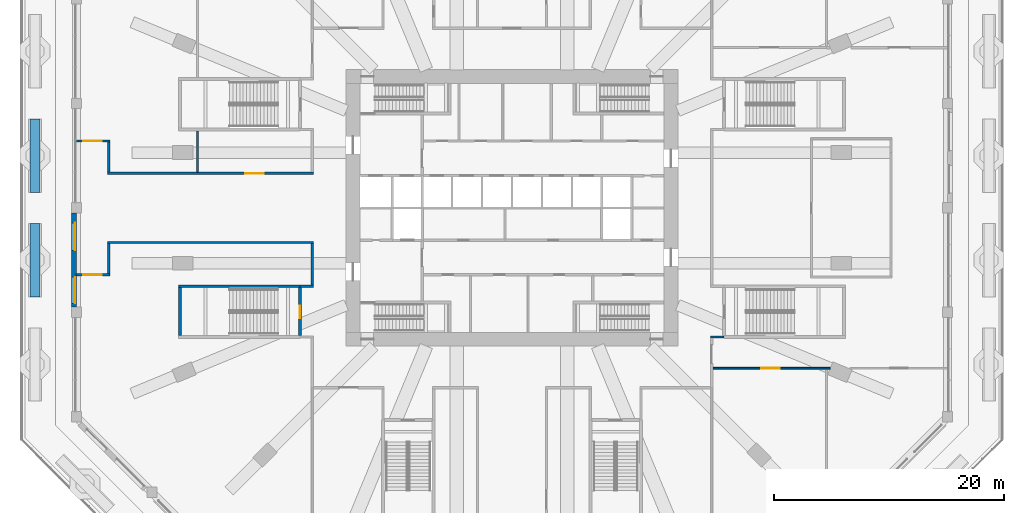
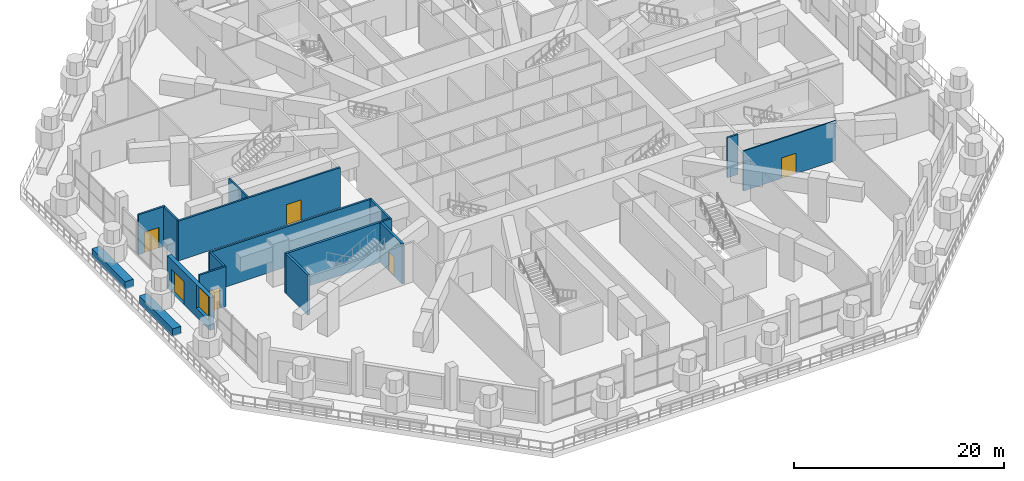
# One storey, part 15 of 25: 17 walls, 6 doors, 1 window, 7 openings.
"""IFC4 building model written with IfcOpenShell, lengths in metres."""

from ifc_helpers import new_model, si_unit, direction, frame, frame_2d, origin, place, context, subcontext, project, spatial, rectangle, extrude, material, layer, layer_set, type_object, element, fill, save


model = new_model("IFC4")

# Units and contexts
model_context = context("Model", 3, precision=1e-05, world=origin(), true_north=direction((0.0, 1.0)))
body_context = subcontext(model_context, "Body", "Model", "MODEL_VIEW")
ifc_project = project(units=[si_unit("LENGTHUNIT", "METRE"), si_unit("AREAUNIT", "SQUARE_METRE"), si_unit("VOLUMEUNIT", "CUBIC_METRE"), si_unit("PLANEANGLEUNIT", "RADIAN"), si_unit("MASSUNIT", "GRAM", prefix="KILO")], contexts=[model_context])

# Site, building, storey
site_placement = place(None, origin())
site = spatial("IfcSite", under=ifc_project, at=site_placement, CompositionType="ELEMENT")
building_placement = place(site_placement, origin())
building = spatial("IfcBuilding", under=site, at=building_placement, Name="Msitu Wima Residences", CompositionType="ELEMENT")
storey_placement = place(building_placement, frame((0.0, 0.0, 11.0)))
storey = spatial("IfcBuildingStorey", under=building, at=storey_placement, Name="L02", CompositionType="ELEMENT", Elevation=11.0)

# Wall, openings, door, window
ifc_material_1 = material(Name="Brick (red buff mix), cavity wall of two leaves", Category="masonry")
ifc_layer_1 = layer(ifc_material_1, 0.449951171875)
ifc_layer_set_1 = layer_set([ifc_layer_1], Name="Brick (red buff mix), cavity wall of two leaves")
wall_type_1 = type_object("IfcWallType", Name="Brick infill wall BW450 podium", PredefinedType="ELEMENTEDWALL", material=ifc_layer_set_1)
wall_1_placement = place(storey_placement, frame((-38.02490234375, -0.449951171875, 0.0), z_axis=(0.0, 0.0, 1.0), x_axis=(0.0, -1.0, 0.0)))
wall_1 = element("IfcWall", 1, at=wall_1_placement, inside=storey, type_object=wall_type_1, Name="Brick infill wall L02 W2", PredefinedType="ELEMENTEDWALL", context=body_context, shape_type="SweptSolid", body=[
    extrude(rectangle(XDim=8.1640625, YDim=0.449951171875, at=frame_2d((4.08203125, 0.0))), origin(), (0.0, 0.0, 1.0), 3.800048828125),
])
opening_1_placement = place(wall_1_placement, frame((0.841064453125, 0.0, 0.0)))
opening_1 = element("IfcOpeningElement", 2, at=opening_1_placement, cuts=wall_1, Name="Opening D02.008", PredefinedType="OPENING", context=body_context, shape_type="SweptSolid", body=[
    extrude(rectangle(XDim=2.39990234375, YDim=2.699951171875, at=frame_2d((1.199951171875, 1.35009765625))), frame((0.0, 0.23486328125, 0.0), z_axis=(0.0, -1.0, 0.0), x_axis=(1.0, 0.0, 0.0)), (0.0, 0.0, 1.0), 0.469970703125),
])
opening_2_placement = place(wall_1_placement, frame((5.550048828125, 0.0, 1.050048828125)))
opening_2 = element("IfcOpeningElement", 3, at=opening_2_placement, cuts=wall_1, Name="Opening W02.026", PredefinedType="OPENING", context=body_context, shape_type="SweptSolid", body=[
    extrude(rectangle(XDim=2.280029296875, YDim=2.699951171875, at=frame_2d((1.14013671875, 1.35009765625))), frame((0.0, 0.23486328125, 0.0), z_axis=(0.0, -1.0, 0.0), x_axis=(1.0, 0.0, 0.0)), (0.0, 0.0, 1.0), 0.469970703125),
])
ifc_material_2 = material(Name="Anodised aluminium, bronze finish, clear low-emissivity double glazing", Category="aluminium")
door_type_1 = type_object("IfcDoorType", Name="Balcony door D2400x2700", OperationType="SLIDING_TO_LEFT", PredefinedType="DOOR", material=ifc_material_2)
door_1_placement = place(opening_1_placement, origin())
door_1 = element("IfcDoor", 4, at=door_1_placement, inside=storey, type_object=door_type_1, Name="Terrace door L02 W2", OperationType="SINGLE_SWING_LEFT", OverallHeight=2.699951171875, OverallWidth=2.39990234375, PredefinedType="DOOR", context=body_context, shape_type="SweptSolid", body=[
    extrude(rectangle(XDim=2.39990234375, YDim=2.699951171875, at=frame_2d((1.199951171875, 1.35009765625))), frame((0.0, 0.1298828125, 0.0), z_axis=(0.0, -1.0, 0.0), x_axis=(1.0, 0.0, 0.0)), (0.0, 0.0, 1.0), 0.050048828125),
])
fill(opening_1, door_1)
window_type = type_object("IfcWindowType", Name="Window W2280x2700", PartitioningType="DOUBLE_PANEL_VERTICAL", PredefinedType="WINDOW", material=ifc_material_2)
window_placement = place(opening_2_placement, origin())
window = element("IfcWindow", 5, at=window_placement, inside=storey, type_object=window_type, Name="Window L02 W2.2b", OverallHeight=2.699951171875, OverallWidth=2.280029296875, PartitioningType="SINGLE_PANEL", PredefinedType="WINDOW", context=body_context, shape_type="SweptSolid", body=[
    extrude(rectangle(XDim=2.280029296875, YDim=2.699951171875, at=frame_2d((1.14013671875, 1.35009765625))), frame((0.0, 0.135009765625, 0.0), z_axis=(0.0, -1.0, 0.0), x_axis=(1.0, 0.0, 0.0)), (0.0, 0.0, 1.0), 0.06005859375),
])
fill(opening_2, window)

# Wall, opening, door
ifc_material_3 = material(Name="Plaster")
ifc_layer_2 = layer(ifc_material_3, 0.011962890625, Name="Plaster")
ifc_material_4 = material(Name="Concrete blockwork", Category="masonry")
ifc_layer_3 = layer(ifc_material_4, 0.176025390625, Name="Concrete blockwork")
ifc_layer_4 = layer(ifc_material_3, 0.011962890625, Name="Plaster")
ifc_layer_set_2 = layer_set([ifc_layer_2, ifc_layer_3, ifc_layer_4], Name="Concrete blockwork")
wall_type_2 = type_object("IfcWallType", Name="Corridor wall FW200", PredefinedType="PARTITIONING", material=ifc_layer_set_2)
wall_2_placement = place(storey_placement, frame((-37.85498046875, -5.800048828125, 0.0), z_axis=(0.0, 0.0, 1.0), x_axis=(1.0, 0.0, 0.0)))
wall_2 = element("IfcWall", 6, at=wall_2_placement, inside=storey, type_object=wall_type_2, Name="Corridor wall", PredefinedType="PARTITIONING", context=body_context, shape_type="SweptSolid", body=[
    extrude(rectangle(XDim=2.955078125, YDim=0.199951171875, at=frame_2d((1.4775390625, 0.0))), origin(), (0.0, 0.0, 1.0), 4.64990234375),
])
opening_3_placement = place(wall_2_placement, frame((0.64990234375, 0.0, 0.0)))
opening_3 = element("IfcOpeningElement", 7, at=opening_3_placement, cuts=wall_2, Name="Opening D02.043", PredefinedType="OPENING", context=body_context, shape_type="SweptSolid", body=[
    extrude(rectangle(XDim=1.60009765625, YDim=2.39990234375, at=frame_2d((0.800048828125, 1.199951171875))), frame((0.0, 0.10986328125, 0.0), z_axis=(0.0, -1.0, 0.0), x_axis=(1.0, 0.0, 0.0)), (0.0, 0.0, 1.0), 0.219970703125),
])
ifc_material_5 = material(Name="Black aluminium glazed door", Category="aluminium")
door_type_2 = type_object("IfcDoorType", Name="Amenity door D10 1600x2400", OperationType="DOUBLE_DOOR_SINGLE_SWING", PredefinedType="DOOR", material=ifc_material_5)
door_2_placement = place(opening_3_placement, origin())
door_2 = element("IfcDoor", 8, at=door_2_placement, inside=storey, type_object=door_type_2, Name="Amenity door", OperationType="DOUBLE_DOOR_SINGLE_SWING", OverallHeight=2.39990234375, OverallWidth=1.60009765625, PredefinedType="DOOR", context=body_context, shape_type="SweptSolid", body=[
    extrude(rectangle(XDim=1.60009765625, YDim=2.39990234375, at=frame_2d((0.800048828125, 1.199951171875))), frame((0.0, 0.02490234375, 0.0), z_axis=(0.0, -1.0, 0.0), x_axis=(1.0, 0.0, 0.0)), (0.0, 0.0, 1.0), 0.050048828125),
])
fill(opening_3, door_2)

wall_3_placement = place(storey_placement, frame((-37.85498046875, 5.800048828125, 0.0), z_axis=(0.0, 0.0, 1.0), x_axis=(1.0, 0.0, 0.0)))
wall_3 = element("IfcWall", 9, at=wall_3_placement, inside=storey, type_object=wall_type_2, Name="Corridor wall", PredefinedType="PARTITIONING", context=body_context, shape_type="SweptSolid", body=[
    extrude(rectangle(XDim=2.955078125, YDim=0.199951171875, at=frame_2d((1.4775390625, 0.0))), origin(), (0.0, 0.0, 1.0), 4.64990234375),
])
opening_4_placement = place(wall_3_placement, frame((0.64990234375, 0.0, 0.0)))
opening_4 = element("IfcOpeningElement", 10, at=opening_4_placement, cuts=wall_3, Name="Opening D02.044", PredefinedType="OPENING", context=body_context, shape_type="SweptSolid", body=[
    extrude(rectangle(XDim=1.60009765625, YDim=2.39990234375, at=frame_2d((0.800048828125, 1.199951171875))), frame((0.0, 0.10986328125, 0.0), z_axis=(0.0, -1.0, 0.0), x_axis=(1.0, 0.0, 0.0)), (0.0, 0.0, 1.0), 0.219970703125),
])
door_3_placement = place(opening_4_placement, origin())
door_3 = element("IfcDoor", 11, at=door_3_placement, inside=storey, type_object=door_type_2, Name="Amenity door", OperationType="DOUBLE_DOOR_SINGLE_SWING", OverallHeight=2.39990234375, OverallWidth=1.60009765625, PredefinedType="DOOR", context=body_context, shape_type="SweptSolid", body=[
    extrude(rectangle(XDim=1.60009765625, YDim=2.39990234375, at=frame_2d((0.800048828125, 1.199951171875))), frame((0.0, 0.02490234375, 0.0), z_axis=(0.0, -1.0, 0.0), x_axis=(1.0, 0.0, 0.0)), (0.0, 0.0, 1.0), 0.050048828125),
])
fill(opening_4, door_3)

# Walls
wall_4_placement = place(storey_placement, frame((-35.0, -5.699951171875, 0.0), z_axis=(0.0, 0.0, 1.0), x_axis=(0.0, 1.0, 0.0)))
element("IfcWall", 12, at=wall_4_placement, inside=storey, type_object=wall_type_2, Name="Corridor wall", PredefinedType="PARTITIONING", context=body_context, shape_type="SweptSolid", body=[
    extrude(rectangle(XDim=2.599853515625, YDim=0.199951171875, at=frame_2d((1.2998046875, 0.0))), origin(), (0.0, 0.0, 1.0), 4.64990234375),
])
wall_5_placement = place(storey_placement, frame((-35.10009765625, -3.0, 0.0), z_axis=(0.0, 0.0, 1.0), x_axis=(1.0, 0.0, 0.0)))
element("IfcWall", 13, at=wall_5_placement, inside=storey, type_object=wall_type_2, Name="Corridor wall", PredefinedType="PARTITIONING", context=body_context, shape_type="SweptSolid", body=[
    extrude(rectangle(XDim=17.8720703125, YDim=0.199951171875, at=frame_2d((8.93603515625, 0.0))), origin(), (0.0, 0.0, 1.0), 4.64990234375),
])
wall_6_placement = place(storey_placement, frame((-35.0, 3.10009765625, 0.0), z_axis=(0.0, 0.0, 1.0), x_axis=(0.0, 1.0, 0.0)))
element("IfcWall", 14, at=wall_6_placement, inside=storey, type_object=wall_type_2, Name="Corridor wall", PredefinedType="PARTITIONING", context=body_context, shape_type="SweptSolid", body=[
    extrude(rectangle(XDim=2.599853515625, YDim=0.199951171875, at=frame_2d((1.2998046875, 0.0))), origin(), (0.0, 0.0, 1.0), 4.64990234375),
])

# Wall, opening, door
wall_7_placement = place(storey_placement, frame((-35.10009765625, 3.0, 0.0), z_axis=(0.0, 0.0, 1.0), x_axis=(1.0, 0.0, 0.0)))
wall_7 = element("IfcWall", 15, at=wall_7_placement, inside=storey, type_object=wall_type_2, Name="Corridor wall", PredefinedType="PARTITIONING", context=body_context, shape_type="SweptSolid", body=[
    extrude(rectangle(XDim=17.8720703125, YDim=0.199951171875, at=frame_2d((8.93603515625, 0.0))), origin(), (0.0, 0.0, 1.0), 4.64990234375),
])
opening_5_placement = place(wall_7_placement, frame((11.949951171875, 0.0, 0.0)))
opening_5 = element("IfcOpeningElement", 16, at=opening_5_placement, cuts=wall_7, Name="Opening D02.045", PredefinedType="OPENING", context=body_context, shape_type="SweptSolid", body=[
    extrude(rectangle(XDim=1.60009765625, YDim=2.39990234375, at=frame_2d((0.800048828125, 1.199951171875))), frame((0.0, 0.10986328125, 0.0), z_axis=(0.0, -1.0, 0.0), x_axis=(1.0, 0.0, 0.0)), (0.0, 0.0, 1.0), 0.219970703125),
])
door_4_placement = place(opening_5_placement, origin())
door_4 = element("IfcDoor", 17, at=door_4_placement, inside=storey, type_object=door_type_2, Name="Amenity door", OperationType="DOUBLE_DOOR_SINGLE_SWING", OverallHeight=2.39990234375, OverallWidth=1.60009765625, PredefinedType="DOOR", context=body_context, shape_type="SweptSolid", body=[
    extrude(rectangle(XDim=1.60009765625, YDim=2.39990234375, at=frame_2d((0.800048828125, 1.199951171875))), frame((0.0, 0.02490234375, 0.0), z_axis=(0.0, -1.0, 0.0), x_axis=(1.0, 0.0, 0.0)), (0.0, 0.0, 1.0), 0.050048828125),
])
fill(opening_5, door_4)

# Walls
wall_8_placement = place(storey_placement, frame((-18.39990234375, -6.800048828125, 0.0), z_axis=(0.0, 0.0, 1.0), x_axis=(1.0, 0.0, 0.0)))
element("IfcWall", 18, at=wall_8_placement, inside=storey, type_object=wall_type_2, Name="Corridor wall", PredefinedType="PARTITIONING", context=body_context, shape_type="SweptSolid", body=[
    extrude(rectangle(XDim=1.171875, YDim=0.199951171875, at=frame_2d((0.5859375, 0.0))), origin(), (0.0, 0.0, 1.0), 4.64990234375),
])
wall_9_placement = place(storey_placement, frame((-17.327880859375, -6.699951171875, 0.0), z_axis=(0.0, 0.0, 1.0), x_axis=(0.0, 1.0, 0.0)))
element("IfcWall", 19, at=wall_9_placement, inside=storey, type_object=wall_type_2, Name="Corridor wall", PredefinedType="PARTITIONING", context=body_context, shape_type="SweptSolid", body=[
    extrude(rectangle(XDim=3.599853515625, YDim=0.199951171875, at=frame_2d((1.7998046875, 0.0))), origin(), (0.0, 0.0, 1.0), 4.64990234375),
])
wall_10_placement = place(storey_placement, frame((17.22802734375, -11.199951171875, 0.0), z_axis=(0.0, 0.0, 1.0), x_axis=(1.0, 0.0, 0.0)))
element("IfcWall", 20, at=wall_10_placement, inside=storey, type_object=wall_type_2, Name="Corridor wall", PredefinedType="PARTITIONING", context=body_context, shape_type="SweptSolid", body=[
    extrude(rectangle(XDim=1.171875, YDim=0.199951171875, at=frame_2d((0.5859375, 0.0))), origin(), (0.0, 0.0, 1.0), 4.64990234375),
])
ifc_layer_5 = layer(ifc_material_3, 0.011962890625, Name="Plaster")
ifc_layer_6 = layer(ifc_material_4, 0.1259765625, Name="Concrete blockwork")
ifc_layer_7 = layer(ifc_material_3, 0.011962890625, Name="Plaster")
ifc_layer_set_3 = layer_set([ifc_layer_5, ifc_layer_6, ifc_layer_7], Name="Concrete blockwork")
wall_type_3 = type_object("IfcWallType", Name="Partition PW150", PredefinedType="PARTITIONING", material=ifc_layer_set_3)
wall_11_placement = place(storey_placement, frame((-27.2919921875, 3.10009765625, 0.0), z_axis=(0.0, 0.0, 1.0), x_axis=(0.0, 1.0, 0.0)))
element("IfcWall", 21, at=wall_11_placement, inside=storey, type_object=wall_type_3, Name="Partition", PredefinedType="PARTITIONING", context=body_context, shape_type="SweptSolid", body=[
    extrude(rectangle(XDim=3.574951171875, YDim=0.14990234375, at=frame_2d((1.78759765625, 0.0))), origin(), (0.0, 0.0, 1.0), 4.64990234375),
])

# Wall, opening, door
wall_12_placement = place(storey_placement, frame((17.427978515625, -13.91357421875, 0.0), z_axis=(0.0, 0.0, 1.0), x_axis=(1.0, 0.0, 0.0)))
wall_12 = element("IfcWall", 22, at=wall_12_placement, inside=storey, type_object=wall_type_3, Name="Partition", PredefinedType="PARTITIONING", context=body_context, shape_type="SweptSolid", body=[
    extrude(rectangle(XDim=10.17431640625, YDim=0.14990234375, at=frame_2d((5.087158203125, 0.0))), origin(), (0.0, 0.0, 1.0), 4.64990234375),
])
opening_6_placement = place(wall_12_placement, frame((4.199951171875, 0.0, 0.0)))
opening_6 = element("IfcOpeningElement", 23, at=opening_6_placement, cuts=wall_12, Name="Opening D02.030", PredefinedType="OPENING", context=body_context, shape_type="SweptSolid", body=[
    extrude(rectangle(XDim=1.60009765625, YDim=2.39990234375, at=frame_2d((0.800048828125, 1.199951171875))), frame((0.0, 0.0849609375, 0.0), z_axis=(0.0, -1.0, 0.0), x_axis=(1.0, 0.0, 0.0)), (0.0, 0.0, 1.0), 0.169921875),
])
door_5_placement = place(opening_6_placement, origin())
door_5 = element("IfcDoor", 24, at=door_5_placement, inside=storey, type_object=door_type_2, Name="Amenity door", OperationType="DOUBLE_DOOR_SINGLE_SWING", OverallHeight=2.39990234375, OverallWidth=1.60009765625, PredefinedType="DOOR", context=body_context, shape_type="SweptSolid", body=[
    extrude(rectangle(XDim=1.60009765625, YDim=2.39990234375, at=frame_2d((0.800048828125, 1.199951171875))), frame((0.0, 0.02490234375, 0.0), z_axis=(0.0, -1.0, 0.0), x_axis=(1.0, 0.0, 0.0)), (0.0, 0.0, 1.0), 0.050048828125),
])
fill(opening_6, door_5)

# Walls
ifc_material_6 = material(Name="Concrete C50/60", Category="concrete")
ifc_layer_8 = layer(ifc_material_6, 0.25)
ifc_layer_set_4 = layer_set([ifc_layer_8], Name="Concrete C50/60")
wall_type_4 = type_object("IfcWallType", Name="Stair enclosure wall SW250", PredefinedType="SHEAR", material=ifc_layer_set_4)
wall_13_placement = place(storey_placement, frame((-28.800048828125, -11.074951171875, 0.0), z_axis=(0.0, 0.0, 1.0), x_axis=(0.0, 1.0, 0.0)))
element("IfcWall", 25, at=wall_13_placement, inside=storey, type_object=wall_type_4, Name="Stair enclosure wall", PredefinedType="SHEAR", context=body_context, shape_type="SweptSolid", body=[
    extrude(rectangle(XDim=4.14990234375, YDim=0.25, at=frame_2d((2.074951171875, 0.0))), origin(), (0.0, 0.0, 1.0), 4.64990234375),
])
wall_14_placement = place(storey_placement, frame((-28.925048828125, -6.800048828125, 0.0), z_axis=(0.0, 0.0, 1.0), x_axis=(1.0, 0.0, 0.0)))
element("IfcWall", 26, at=wall_14_placement, inside=storey, type_object=wall_type_4, Name="Stair enclosure wall", PredefinedType="SHEAR", context=body_context, shape_type="SweptSolid", body=[
    extrude(rectangle(XDim=10.525146484375, YDim=0.25, at=frame_2d((5.2626953125, 0.0))), origin(), (0.0, 0.0, 1.0), 4.64990234375),
])

# Wall, opening, door
wall_15_placement = place(storey_placement, frame((-18.39990234375, -11.074951171875, 0.0), z_axis=(0.0, 0.0, 1.0), x_axis=(0.0, 1.0, 0.0)))
wall_15 = element("IfcWall", 27, at=wall_15_placement, inside=storey, type_object=wall_type_4, Name="Stair enclosure wall", PredefinedType="SHEAR", context=body_context, shape_type="SweptSolid", body=[
    extrude(rectangle(XDim=4.14990234375, YDim=0.25, at=frame_2d((2.074951171875, 0.0))), origin(), (0.0, 0.0, 1.0), 4.64990234375),
])
opening_7_placement = place(wall_15_placement, frame((1.5, 0.0, 0.0)))
opening_7 = element("IfcOpeningElement", 28, at=opening_7_placement, cuts=wall_15, Name="Opening D02.056", PredefinedType="OPENING", context=body_context, shape_type="SweptSolid", body=[
    extrude(rectangle(XDim=1.10009765625, YDim=2.199951171875, at=frame_2d((0.550048828125, 1.10009765625))), frame((0.0, 0.135009765625, 0.0), z_axis=(0.0, -1.0, 0.0), x_axis=(1.0, 0.0, 0.0)), (0.0, 0.0, 1.0), 0.27001953125),
])
ifc_material_7 = material(Name="Steel door, fire resisting, panic bar", Category="steel")
door_type_3 = type_object("IfcDoorType", Name="Stair door D13 1100x2200", OperationType="SINGLE_SWING_LEFT", PredefinedType="DOOR", material=ifc_material_7)
door_6_placement = place(opening_7_placement, origin())
door_6 = element("IfcDoor", 29, at=door_6_placement, inside=storey, type_object=door_type_3, Name="Stair door", OperationType="SINGLE_SWING_LEFT", OverallHeight=2.199951171875, OverallWidth=1.10009765625, PredefinedType="DOOR", context=body_context, shape_type="SweptSolid", body=[
    extrude(rectangle(XDim=1.10009765625, YDim=2.199951171875, at=frame_2d((0.550048828125, 1.10009765625))), frame((0.0, 0.02490234375, 0.0), z_axis=(0.0, -1.0, 0.0), x_axis=(1.0, 0.0, 0.0)), (0.0, 0.0, 1.0), 0.050048828125),
])
fill(opening_7, door_6)

# Walls
ifc_material_8 = material(Name="Facing brick")
ifc_layer_9 = layer(ifc_material_8, 0.06494140625, Name="Facing brick")
ifc_material_9 = material(Name="Concrete C40/50", Category="concrete")
ifc_layer_10 = layer(ifc_material_9, 0.381103515625, Name="Concrete C40/50")
ifc_material_10 = material(Name="Waterproofing membrane")
ifc_layer_11 = layer(ifc_material_10, 0.00390625, Name="Waterproofing membrane")
ifc_material_11 = material(Name="Planting soil and planting")
ifc_layer_12 = layer(ifc_material_11, 0.449951171875, Name="Planting soil and planting")
ifc_layer_set_5 = layer_set([ifc_layer_9, ifc_layer_10, ifc_layer_11, ifc_layer_12], Name="Concrete C40/50")
wall_type_5 = type_object("IfcWallType", Name="Terrace planter PLANTER PL900", PredefinedType="USERDEFINED", material=ifc_layer_set_5)
for number, where, z_axis, x_axis, name in (
    (30, (-41.39990234375, 7.7138671875, 0.0), (0.0, 0.0, 1.0), (0.0, -1.0, 0.0), "Terrace planter L02 W1"),
    (31, (-41.39990234375, -1.35009765625, 0.0), (0.0, 0.0, 1.0), (0.0, -1.0, 0.0), "Terrace planter L02 W2"),
):
    element("IfcWall", number, at=place(storey_placement, frame(where, z_axis=z_axis, x_axis=x_axis)), inside=storey, type_object=wall_type_5, Name=name, ObjectType="PLANTER", PredefinedType="USERDEFINED", context=body_context, shape_type="SweptSolid", body=[
        extrude(rectangle(XDim=6.36376953125, YDim=0.89990234375, at=frame_2d((3.181884765625, 0.0))), origin(), (0.0, 0.0, 1.0), 0.89990234375),
    ])

save(model, "model.ifc")
